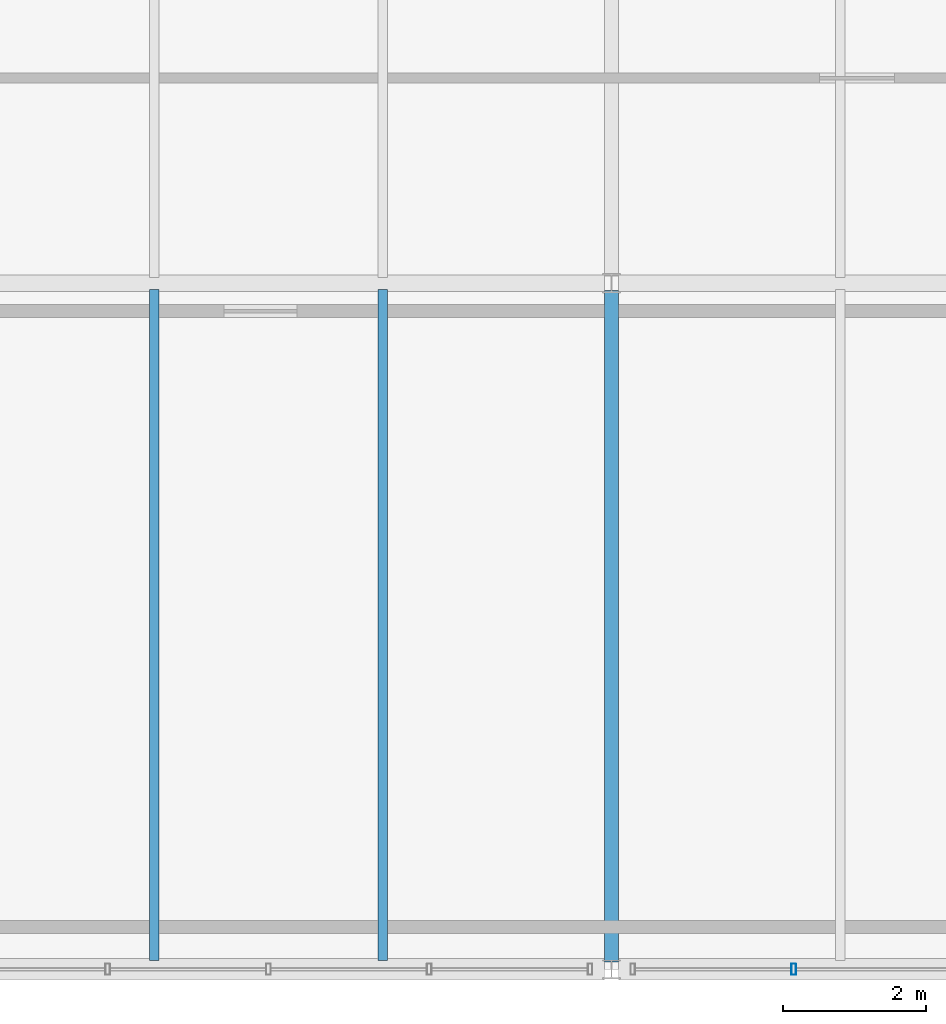
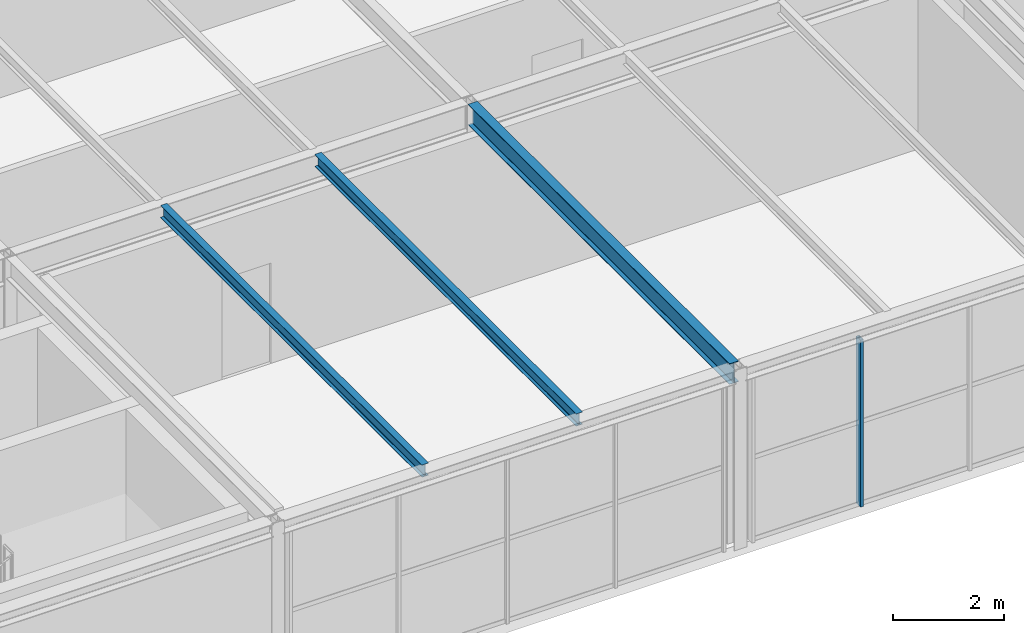
# One storey, part 19 of 39: 3 beams, 1 member, 1 element without a shape of its own.
"""IFC4 building model written with IfcOpenShell, lengths in metres."""

import ifcopenshell
import ifcopenshell.guid

model = None  # the IFC model being written
_history = None  # IfcOwnerHistory: only IFC2X3 demands one
_inside = {}  # id of a spatial element -> (the spatial element, [elements in it])
_under = {}  # id of a project, library or spatial element -> (it, [spatial elements below it])
_declared = {}  # id of a project -> (the project, [libraries it declares])
_typed = {}  # id of a type object -> (the type object, [elements of that type])
_made_of = {}  # id of a material, layer set ... -> (it, [elements and type objects made of it])


def new_model(schema):
    """Start an empty IFC model of exactly this schema.

    Asked for "IFC4X3", IfcOpenShell would pick the latest addendum, in which some entities
    have other attributes; the version numbers below select the first issue.
    IFC2X3 requires an IfcOwnerHistory on every rooted entity: one is made here for all.
    """
    global model, _history
    if schema == "IFC4X3":
        model = ifcopenshell.file(schema_version=(4, 3, 0, 0))
    else:
        model = ifcopenshell.file(schema=schema)
    _inside.clear()
    _under.clear()
    _declared.clear()
    _typed.clear()
    _made_of.clear()
    _history = None
    if model.schema == "IFC2X3":
        org = make("IfcOrganization", Name="unknown")
        user = make(
            "IfcPersonAndOrganization",
            ThePerson=make("IfcPerson", FamilyName="unknown"),
            TheOrganization=org,
        )
        app = make(
            "IfcApplication",
            ApplicationDeveloper=org,
            Version="unknown",
            ApplicationFullName="unknown",
            ApplicationIdentifier="unknown",
        )
        _history = make(
            "IfcOwnerHistory",
            OwningUser=user,
            OwningApplication=app,
            ChangeAction="ADDED",
            CreationDate=0,
        )
    return model


def make(cls, **values):
    """One entity of the class cls with the attributes given. An attribute that is None is left unset."""
    return model.create_entity(
        cls, **{name: value for name, value in values.items() if value is not None}
    )


def rooted(cls, **values):
    """An entity with a GlobalId (a new one), such as an element, a storey or a relation."""
    return make(cls, GlobalId=ifcopenshell.guid.new(), OwnerHistory=_history, **values)


def si_unit(unit_type, name, prefix=None):
    """IfcSIUnit, for example si_unit("LENGTHUNIT", "METRE", prefix="MILLI")."""
    return make("IfcSIUnit", UnitType=unit_type, Prefix=prefix, Name=name)


def assignment(units):
    """IfcUnitAssignment: the units of a project."""
    return None if units is None else make("IfcUnitAssignment", Units=units)


def point(xyz):
    """IfcCartesianPoint."""
    return None if xyz is None else make("IfcCartesianPoint", Coordinates=xyz)


def direction(xyz):
    """IfcDirection."""
    return None if xyz is None else make("IfcDirection", DirectionRatios=xyz)


def frame(location, z_axis=None, x_axis=None):
    """IfcAxis2Placement3D, a coordinate frame: its origin and axes. An axis left out is left unset."""
    return make(
        "IfcAxis2Placement3D",
        Location=point(location),
        Axis=direction(z_axis),
        RefDirection=direction(x_axis),
    )


def frame_2d(location, x_axis=None):
    """IfcAxis2Placement2D, a coordinate frame in the plane: its origin and x axis."""
    return make(
        "IfcAxis2Placement2D", Location=point(location), RefDirection=direction(x_axis)
    )


def origin():
    """The frame at (0, 0, 0) with its axes left unset."""
    return frame((0.0, 0.0, 0.0))


def origin_2d():
    """The frame at (0, 0) in the plane with its x axis left unset."""
    return frame_2d((0.0, 0.0))


def place(relative_to, where):
    """IfcLocalPlacement: puts the frame where relative to a parent placement (None: the world)."""
    return make(
        "IfcLocalPlacement", PlacementRelTo=relative_to, RelativePlacement=where
    )


def context(
    kind, dimensions, precision=None, world=None, true_north=None, identifier=None
):
    """IfcGeometricRepresentationContext, for example the 3D "Model" context."""
    return make(
        "IfcGeometricRepresentationContext",
        ContextIdentifier=identifier,
        ContextType=kind,
        CoordinateSpaceDimension=dimensions,
        Precision=precision,
        WorldCoordinateSystem=world,
        TrueNorth=true_north,
    )


def subcontext(parent, identifier, kind, view, scale=None):
    """IfcGeometricRepresentationSubContext, for example "Body" below "Model"."""
    return make(
        "IfcGeometricRepresentationSubContext",
        ContextIdentifier=identifier,
        ContextType=kind,
        ParentContext=parent,
        TargetScale=scale,
        TargetView=view,
    )


def project(units=None, contexts=None):
    """IfcProject with its units and contexts."""
    return rooted(
        "IfcProject",
        Name="project",
        RepresentationContexts=contexts,
        UnitsInContext=assignment(units),
    )


def spatial(cls, under=None, at=None, **own):
    """A site, building, storey or space (cls), placed at a placement, below another one or the project."""
    s = rooted(cls, ObjectPlacement=at, **own)
    if under is not None:
        _under.setdefault(under.id(), (under, []))[1].append(s)
    return s


def profile(cls, at=None, kind="AREA", **sizes):
    """A parametric profile (cls). Its sizes go by their IFC names, for example OverallWidth=200.0."""
    return make(cls, ProfileType=kind, Position=at, **sizes)


def hollow_rectangle(**sizes):
    """IfcRectangleHollowProfileDef."""
    return profile("IfcRectangleHollowProfileDef", **sizes)


def i_section(**sizes):
    """IfcIShapeProfileDef."""
    return profile("IfcIShapeProfileDef", **sizes)


def extrude(swept, where, along, depth):
    """IfcExtrudedAreaSolid: the profile swept, set in the frame where, extruded along a direction by depth."""
    return make(
        "IfcExtrudedAreaSolid",
        SweptArea=swept,
        Position=where,
        ExtrudedDirection=direction(along),
        Depth=depth,
    )


def shape(context_of_items, identifier, shape_type, items):
    """IfcShapeRepresentation: the items that make up one representation, for example the "Body"."""
    return make(
        "IfcShapeRepresentation",
        ContextOfItems=context_of_items,
        RepresentationIdentifier=identifier,
        RepresentationType=shape_type,
        Items=items,
    )


def material(Name=None, Category=None):
    """IfcMaterial."""
    return make("IfcMaterial", Name=Name, Category=Category)


def material_profile(
    of_material, cross_section, Name=None, Category=None, Priority=None
):
    """IfcMaterialProfile: a cross section and its material."""
    return make(
        "IfcMaterialProfile",
        Name=Name,
        Material=of_material,
        Profile=cross_section,
        Priority=Priority,
        Category=Category,
    )


def profile_set(profiles, Name=None, composite=None):
    """IfcMaterialProfileSet."""
    return make(
        "IfcMaterialProfileSet",
        Name=Name,
        MaterialProfiles=profiles,
        CompositeProfile=composite,
    )


def made_of(thing, what):
    """Note that an element or type object is made of a material, layer set ...; save() writes the relation."""
    if what is not None:
        _made_of.setdefault(what.id(), (what, []))[1].append(thing)
    return thing


def type_object(cls, material=None, **own):
    """A type object (cls), such as IfcWallType, which elements share."""
    return made_of(rooted(cls, **own), material)


def element(
    cls,
    number,
    at=None,
    inside=None,
    cuts=None,
    type_object=None,
    material=None,
    context=None,
    identifier="Body",
    shape_type=None,
    held_by="IfcProductDefinitionShape",
    body=None,
    shapes=None,
    **own,
):
    """One element of the class cls, such as IfcWall. Its Tag is "e" and its number.

    at: its placement. inside: the storey or other place that contains it. cuts: it is an
    opening in that element (IfcRelVoidsElement). A single representation is given by context,
    identifier, shape_type and body (its items); several are given by shapes. held_by: the class
    of the entity that holds the representations. save() writes the other relations.
    """
    e = rooted(cls, Tag="e%d" % number, ObjectPlacement=at, **own)
    if body is not None:
        shapes = [shape(context, identifier, shape_type, body)]
    if shapes is not None:
        e.Representation = make(held_by, Representations=shapes)
    if inside is not None:
        _inside.setdefault(inside.id(), (inside, []))[1].append(e)
    if cuts is not None:
        rooted(
            "IfcRelVoidsElement", RelatingBuildingElement=cuts, RelatedOpeningElement=e
        )
    if type_object is not None:
        _typed.setdefault(type_object.id(), (type_object, []))[1].append(e)
    return made_of(e, material)


def aggregate(whole, parts):
    """IfcRelAggregates: a whole, such as a stair, and the parts it consists of."""
    return rooted("IfcRelAggregates", RelatingObject=whole, RelatedObjects=parts)


def save(model, path):
    """Write the relations noted so far, then the file.

    IfcRelAggregates (storeys below a building ...), IfcRelContainedInSpatialStructure (elements
    in a storey), IfcRelDefinesByType, IfcRelAssociatesMaterial and IfcRelDeclares: one each for
    every whole, place, type object, material and project.
    """
    for whole, parts in _under.values():
        aggregate(whole, parts)
    for where, things in _inside.values():
        rooted(
            "IfcRelContainedInSpatialStructure",
            RelatedElements=things,
            RelatingStructure=where,
        )
    for kind, things in _typed.values():
        rooted("IfcRelDefinesByType", RelatedObjects=things, RelatingType=kind)
    for what, things in _made_of.values():
        rooted("IfcRelAssociatesMaterial", RelatedObjects=things, RelatingMaterial=what)
    for by, libraries in _declared.values():
        rooted("IfcRelDeclares", RelatingContext=by, RelatedDefinitions=libraries)
    model.write(path)


model = new_model("IFC4")

# Units and contexts
model_context = context("Model", 3, precision=1e-05, world=origin(), true_north=direction((0.0, 1.0)))
body_context = subcontext(model_context, "Body", "Model", "MODEL_VIEW")
ifc_project = project(units=[si_unit("LENGTHUNIT", "METRE"), si_unit("AREAUNIT", "SQUARE_METRE"), si_unit("VOLUMEUNIT", "CUBIC_METRE"), si_unit("PLANEANGLEUNIT", "RADIAN"), si_unit("MASSUNIT", "GRAM", prefix="KILO")], contexts=[model_context])

# Site, building, storey
site_placement = place(None, origin())
site = spatial("IfcSite", under=ifc_project, at=site_placement, CompositionType="ELEMENT")
building_placement = place(site_placement, origin())
building = spatial("IfcBuilding", under=site, at=building_placement, Name="Coralgate Yard Interchange", CompositionType="ELEMENT")
storey_placement = place(building_placement, frame((0.0, 0.0, 18.89990234375)))
storey = spatial("IfcBuildingStorey", under=building, at=storey_placement, Name="L04", CompositionType="ELEMENT", Elevation=18.89990234375)

# Beams
ifc_material_1 = material(Name="Structural steel S355J2", Category="steel")
ifc_material_profile_1 = material_profile(ifc_material_1, i_section(OverallWidth=0.1904296875, OverallDepth=0.45703125, WebThickness=0.009033203125, FlangeThickness=0.014404296875, FilletRadius=0.01025390625, at=origin_2d()), Name="UB 457x191x74")
ifc_profile_set_1 = profile_set([ifc_material_profile_1], Name="Structural steel S355J2")
beam_type_1 = type_object("IfcBeamType", Name="BM-SB-2", PredefinedType="BEAM", material=ifc_profile_set_1)
beam_placement = place(storey_placement, frame((38.39990234375, 0.103271484375, 3.7216796875), z_axis=(0.0, 1.0, 0.0), x_axis=(-1.0, 0.0, 0.0)))
element("IfcBeam", 1, at=beam_placement, inside=storey, type_object=beam_type_1, Name="L04 primary grid girder X4 Y0-1", PredefinedType="BEAM", context=body_context, shape_type="SweptSolid", body=[
    extrude(i_section(OverallWidth=0.1904296875, OverallDepth=0.45703125, WebThickness=0.009033203125, FlangeThickness=0.014404296875, FilletRadius=0.01025390625, at=origin_2d()), origin(), (0.0, 0.0, 1.0), 9.393310546875),
])
ifc_material_profile_2 = material_profile(ifc_material_1, i_section(OverallWidth=0.135009765625, OverallDepth=0.27001953125, WebThickness=0.006591796875, FlangeThickness=0.01025390625, FilletRadius=0.014892578125, at=origin_2d()), Name="IPE 270")
ifc_profile_set_2 = profile_set([ifc_material_profile_2], Name="Structural steel S355J2")
beam_type_2 = type_object("IfcBeamType", Name="BM-SJ-3", PredefinedType="JOIST", material=ifc_profile_set_2)
for number, where, z_axis, x_axis, name in (
    (2, (32.0, 0.1201171875, 3.815185546875), (0.0, 1.0, 0.0), (-1.0, 0.0, 0.0), "L04 composite floor joist 3-0-1"),
    (3, (35.199951171875, 0.1201171875, 3.815185546875), (0.0, 1.0, 0.0), (-1.0, 0.0, 0.0), "L04 composite floor joist 3-0-2"),
):
    element("IfcBeam", number, at=place(storey_placement, frame(where, z_axis=z_axis, x_axis=x_axis)), inside=storey, type_object=beam_type_2, Name=name, PredefinedType="JOIST", context=body_context, shape_type="SweptSolid", body=[
        extrude(i_section(OverallWidth=0.135009765625, OverallDepth=0.27001953125, WebThickness=0.006591796875, FlangeThickness=0.01025390625, FilletRadius=0.014892578125, at=origin_2d()), origin(), (0.0, 0.0, 1.0), 9.395751953125),
    ])

# Curtain wall, member
ifc_material_2 = material(Name="Anodised coastal aluminium and solar-control low-E glass", Category="aluminium")
curtain_wall_type = type_object("IfcCurtainWallType", Name="CW-CW-L04-A", PredefinedType="NOTDEFINED", material=ifc_material_2)
curtain_wall_placement = place(storey_placement, origin())
curtain_wall = element("IfcCurtainWall", 4, at=curtain_wall_placement, inside=storey, type_object=curtain_wall_type, Name="L04 unitised curtain wall CW-L04-S-04-00", PredefinedType="NOTDEFINED")
ifc_material_3 = material(Name="Anodised coastal aluminium 6063-T6", Category="aluminium")
ifc_material_profile_3 = material_profile(ifc_material_3, hollow_rectangle(XDim=0.06494140625, YDim=0.159912109375, WallThickness=0.00390625, InnerFilletRadius=0.00390625, OuterFilletRadius=0.008056640625, at=origin_2d()), Name="ALU 65x160x4")
ifc_profile_set_3 = profile_set([ifc_material_profile_3], Name="Anodised coastal aluminium 6063-T6")
member_type = type_object("IfcMemberType", Name="MB-MUL-160", PredefinedType="MULLION", material=ifc_profile_set_3)
member_placement = place(storey_placement, frame((40.949951171875, 0.0, 0.0), z_axis=(0.0, 0.0, 1.0), x_axis=(1.0, 0.0, 0.0)))
member = element("IfcMember", 5, at=member_placement, type_object=member_type, Name="CW-L04-S-04-00 vertical mullion 4", PredefinedType="MULLION", context=body_context, shape_type="SweptSolid", body=[
    extrude(hollow_rectangle(XDim=0.06494140625, YDim=0.159912109375, WallThickness=0.00390625, InnerFilletRadius=0.00390625, OuterFilletRadius=0.008056640625, at=origin_2d()), origin(), (0.0, 0.0, 1.0), 3.66015625),
])
aggregate(curtain_wall, [member])

save(model, "model.ifc")
